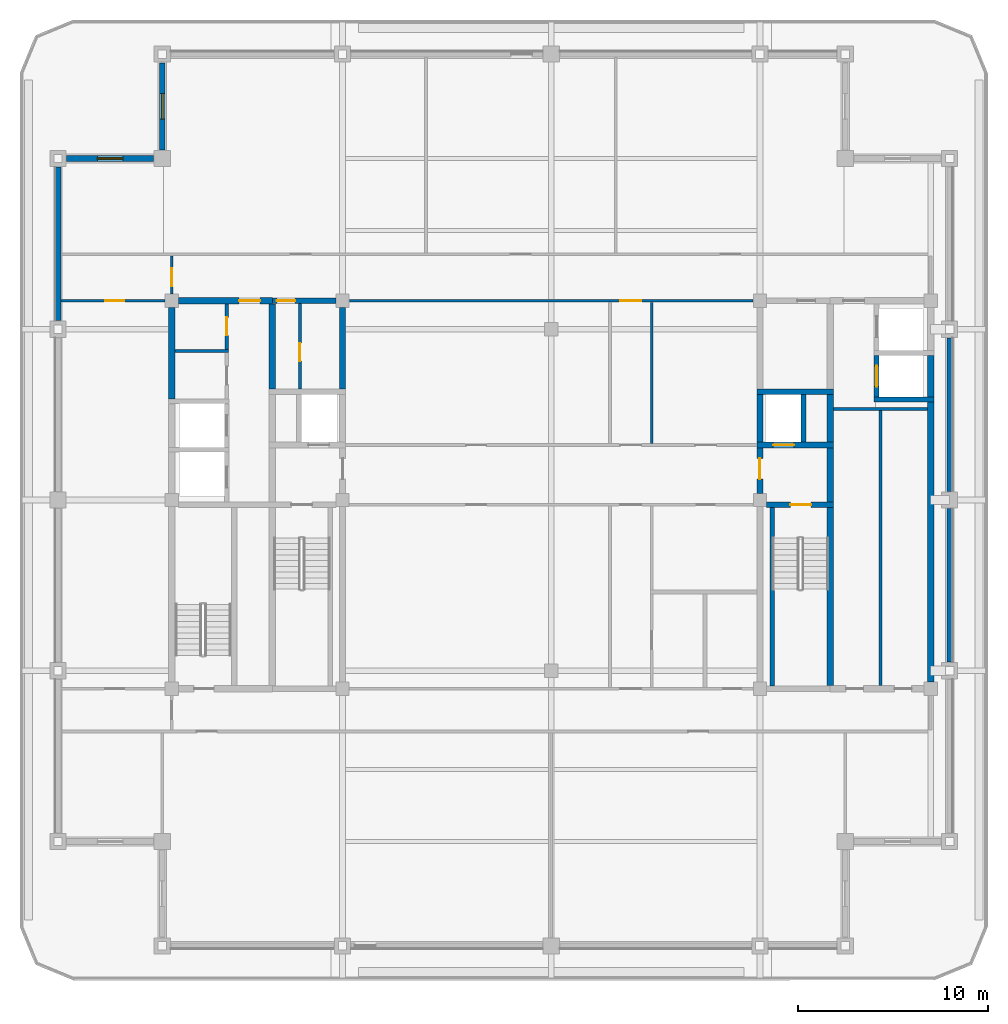
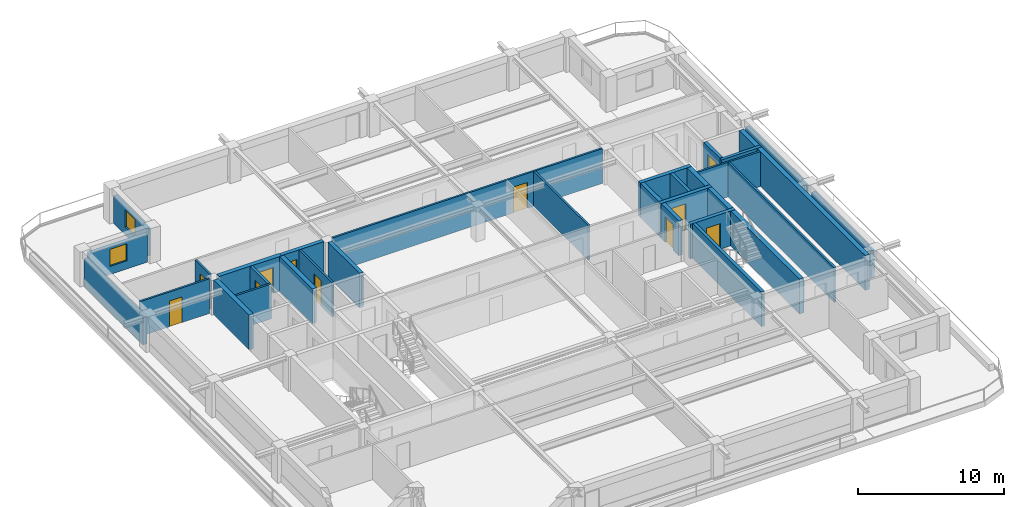
# One storey, part 4 of 10: 33 walls, 11 doors, 2 windows, 13 openings.
"""IFC4 building model written with IfcOpenShell, lengths in metres."""

from ifc_helpers import new_model, si_unit, direction, frame, frame_2d, origin, place, context, subcontext, project, spatial, rectangle, extrude, material, layer, layer_set, type_object, element, fill, save


model = new_model("IFC4")

# Units and contexts
model_context = context("Model", 3, precision=1e-05, world=origin(), true_north=direction((0.0, 1.0)))
body_context = subcontext(model_context, "Body", "Model", "MODEL_VIEW")
ifc_project = project(units=[si_unit("LENGTHUNIT", "METRE"), si_unit("AREAUNIT", "SQUARE_METRE"), si_unit("VOLUMEUNIT", "CUBIC_METRE"), si_unit("PLANEANGLEUNIT", "RADIAN"), si_unit("MASSUNIT", "GRAM", prefix="KILO")], contexts=[model_context])

# Site, building, storey
site_placement = place(None, origin())
site = spatial("IfcSite", under=ifc_project, at=site_placement, CompositionType="ELEMENT")
building_placement = place(site_placement, origin())
building = spatial("IfcBuilding", under=site, at=building_placement, Name="Zulmaris Gate Convention Tower", CompositionType="ELEMENT")
storey_placement = place(building_placement, frame((0.0, 0.0, 267.35009765625)))
storey = spatial("IfcBuildingStorey", under=building, at=storey_placement, Name="L71", CompositionType="ELEMENT", Elevation=267.35009765625)

# Walls
ifc_material_1 = material(Name="Concrete C50/60", Category="concrete")
ifc_layer_1 = layer(ifc_material_1, 0.25, Name="Concrete C50/60")
ifc_layer_set_1 = layer_set([ifc_layer_1], Name="Concrete C50/60")
wall_type_1 = type_object("IfcWallType", Name="CORE-250", PredefinedType="SOLIDWALL", material=ifc_layer_set_1)
wall_1_placement = place(storey_placement, frame((17.02490234375, 5.300048828125, 0.0), z_axis=(0.0, 0.0, 1.0), x_axis=(1.0, 0.0, 0.0)))
element("IfcWall", 1, at=wall_1_placement, inside=storey, type_object=wall_type_1, Name="WL-L71-011", PredefinedType="SOLIDWALL", context=body_context, shape_type="SweptSolid", body=[
    extrude(rectangle(XDim=3.150146484375, YDim=0.25, at=frame_2d((1.5751953125, 0.0))), origin(), (0.0, 0.0, 1.0), 2.905029296875),
])
wall_2_placement = place(storey_placement, frame((11.64990234375, -9.798095703125, 0.0), z_axis=(0.0, 0.0, 1.0), x_axis=(0.0, 1.0, 0.0)))
element("IfcWall", 2, at=wall_2_placement, inside=storey, type_object=wall_type_1, Name="WL-L71-051", PredefinedType="SOLIDWALL", context=body_context, shape_type="SweptSolid", body=[
    extrude(rectangle(XDim=9.39599609375, YDim=0.25, at=frame_2d((4.697998046875, 0.0))), origin(), (0.0, 0.0, 1.0), 2.905029296875),
])
wall_3_placement = place(storey_placement, frame((13.300048828125, 3.052001953125, 0.0), z_axis=(0.0, 0.0, 1.0), x_axis=(0.0, 1.0, 0.0)))
element("IfcWall", 3, at=wall_3_placement, inside=storey, type_object=wall_type_1, Name="WL-L71-052", PredefinedType="SOLIDWALL", context=body_context, shape_type="SweptSolid", body=[
    extrude(rectangle(XDim=2.49609375, YDim=0.25, at=frame_2d((1.248046875, 0.0))), origin(), (0.0, 0.0, 1.0), 2.905029296875),
])

# Wall, opening, door
wall_4_placement = place(storey_placement, frame((17.14990234375, 5.427001953125, 0.0), z_axis=(0.0, 0.0, 1.0), x_axis=(0.0, 1.0, 0.0)))
wall_4 = element("IfcWall", 4, at=wall_4_placement, inside=storey, type_object=wall_type_1, Name="WL-L71-057", PredefinedType="SOLIDWALL", context=body_context, shape_type="SweptSolid", body=[
    extrude(rectangle(XDim=2.196044921875, YDim=0.25, at=frame_2d((1.09814453125, 0.0))), origin(), (0.0, 0.0, 1.0), 2.905029296875),
])
opening_1_placement = place(wall_4_placement, frame((0.548095703125, 0.0, 0.0)))
opening_1 = element("IfcOpeningElement", 5, at=opening_1_placement, cuts=wall_4, Name="Opening D-06", PredefinedType="OPENING", context=body_context, shape_type="SweptSolid", body=[
    extrude(rectangle(XDim=1.10009765625, YDim=2.199951171875, at=frame_2d((0.550048828125, 1.10009765625))), frame((0.0, 0.135009765625, 0.0), z_axis=(0.0, -1.0, 0.0), x_axis=(1.0, 0.0, 0.0)), (0.0, 0.0, 1.0), 0.27001953125),
])
ifc_material_2 = material(Name="Brushed Stainless Steel", Category="steel")
door_type_1 = type_object("IfcDoorType", Name="LD-1100", OperationType="NOTDEFINED", PredefinedType="DOOR", material=ifc_material_2)
door_1_placement = place(opening_1_placement, origin())
door_1 = element("IfcDoor", 6, at=door_1_placement, inside=storey, type_object=door_type_1, Name="L71 Lift Landing Door HP-01 16", OperationType="SLIDING_TO_RIGHT", OverallHeight=2.199951171875, OverallWidth=1.10009765625, PredefinedType="DOOR", context=body_context, shape_type="SweptSolid", body=[
    extrude(rectangle(XDim=1.10009765625, YDim=2.199951171875, at=frame_2d((0.550048828125, 1.10009765625))), frame((0.0, 0.02490234375, 0.0), z_axis=(0.0, -1.0, 0.0), x_axis=(1.0, 0.0, 0.0)), (0.0, 0.0, 1.0), 0.050048828125),
])
fill(opening_1, door_1)

ifc_layer_2 = layer(ifc_material_1, 0.300048828125, Name="Concrete C50/60")
ifc_layer_set_2 = layer_set([ifc_layer_2], Name="Concrete C50/60")
wall_type_2 = type_object("IfcWallType", Name="CORE-300", PredefinedType="SHEAR", material=ifc_layer_set_2)
wall_5_placement = place(storey_placement, frame((11.35400390625, -0.25, 0.0), z_axis=(0.0, 0.0, 1.0), x_axis=(1.0, 0.0, 0.0)))
wall_5 = element("IfcWall", 7, at=wall_5_placement, inside=storey, type_object=wall_type_2, Name="WL-L71-006", PredefinedType="SHEAR", context=body_context, shape_type="SweptSolid", body=[
    extrude(rectangle(XDim=3.52099609375, YDim=0.300048828125, at=frame_2d((1.760498046875, 0.0))), origin(), (0.0, 0.0, 1.0), 2.905029296875),
])
opening_2_placement = place(wall_5_placement, frame((1.24609375, 0.0, 0.0)))
opening_2 = element("IfcOpeningElement", 8, at=opening_2_placement, cuts=wall_5, Name="Opening D-08", PredefinedType="OPENING", context=body_context, shape_type="SweptSolid", body=[
    extrude(rectangle(XDim=1.10009765625, YDim=2.14990234375, at=frame_2d((0.550048828125, 1.074951171875))), frame((0.0, 0.16015625, 0.0), z_axis=(0.0, -1.0, 0.0), x_axis=(1.0, 0.0, 0.0)), (0.0, 0.0, 1.0), 0.320068359375),
])
ifc_material_3 = material(Name="Fire-Rated Steel", Category="steel")
door_type_2 = type_object("IfcDoorType", Name="DR-1100-FD", OperationType="NOTDEFINED", PredefinedType="DOOR", material=ifc_material_3)
door_2_placement = place(opening_2_placement, origin())
door_2 = element("IfcDoor", 9, at=door_2_placement, inside=storey, type_object=door_type_2, Name="L71 Exit Stair ST-2 Door 04", OperationType="SINGLE_SWING_RIGHT", OverallHeight=2.14990234375, OverallWidth=1.10009765625, PredefinedType="DOOR", context=body_context, shape_type="SweptSolid", body=[
    extrude(rectangle(XDim=1.10009765625, YDim=2.14990234375, at=frame_2d((0.550048828125, 1.074951171875))), frame((0.0, 0.02490234375, 0.0), z_axis=(0.0, -1.0, 0.0), x_axis=(1.0, 0.0, 0.0)), (0.0, 0.0, 1.0), 0.050048828125),
])
fill(opening_2, door_2)

wall_6_placement = place(storey_placement, frame((10.85009765625, 2.89990234375, 0.0), z_axis=(0.0, 0.0, 1.0), x_axis=(1.0, 0.0, 0.0)))
wall_6 = element("IfcWall", 10, at=wall_6_placement, inside=storey, type_object=wall_type_2, Name="WL-L71-009", PredefinedType="SHEAR", context=body_context, shape_type="SweptSolid", body=[
    extrude(rectangle(XDim=4.02490234375, YDim=0.300048828125, at=frame_2d((2.012451171875, 0.0))), origin(), (0.0, 0.0, 1.0), 2.905029296875),
])
opening_3_placement = place(wall_6_placement, frame((0.85009765625, 0.0, 0.0)))
opening_3 = element("IfcOpeningElement", 11, at=opening_3_placement, cuts=wall_6, Name="Opening D-06", PredefinedType="OPENING", context=body_context, shape_type="SweptSolid", body=[
    extrude(rectangle(XDim=1.10009765625, YDim=2.199951171875, at=frame_2d((0.550048828125, 1.10009765625))), frame((0.0, 0.16015625, 0.0), z_axis=(0.0, -1.0, 0.0), x_axis=(1.0, 0.0, 0.0)), (0.0, 0.0, 1.0), 0.320068359375),
])
door_3_placement = place(opening_3_placement, origin())
door_3 = element("IfcDoor", 12, at=door_3_placement, inside=storey, type_object=door_type_1, Name="L71 Lift Landing Door LF-02 06", OperationType="SLIDING_TO_RIGHT", OverallHeight=2.199951171875, OverallWidth=1.10009765625, PredefinedType="DOOR", context=body_context, shape_type="SweptSolid", body=[
    extrude(rectangle(XDim=1.10009765625, YDim=2.199951171875, at=frame_2d((0.550048828125, 1.10009765625))), frame((0.0, 0.02490234375, 0.0), z_axis=(0.0, -1.0, 0.0), x_axis=(1.0, 0.0, 0.0)), (0.0, 0.0, 1.0), 0.050048828125),
])
fill(opening_3, door_3)

# Wall
wall_7_placement = place(storey_placement, frame((10.85009765625, 5.699951171875, 0.0), z_axis=(0.0, 0.0, 1.0), x_axis=(1.0, 0.0, 0.0)))
element("IfcWall", 13, at=wall_7_placement, inside=storey, type_object=wall_type_2, Name="WL-L71-013", PredefinedType="SHEAR", context=body_context, shape_type="SweptSolid", body=[
    extrude(rectangle(XDim=4.02490234375, YDim=0.300048828125, at=frame_2d((2.012451171875, 0.0))), origin(), (0.0, 0.0, 1.0), 2.905029296875),
])

# Wall, opening, door
wall_8_placement = place(storey_placement, frame((-14.699951171875, 10.5, 0.0), z_axis=(0.0, 0.0, 1.0), x_axis=(1.0, 0.0, 0.0)))
wall_8 = element("IfcWall", 14, at=wall_8_placement, inside=storey, type_object=wall_type_2, Name="WL-L71-016", PredefinedType="SHEAR", context=body_context, shape_type="SweptSolid", body=[
    extrude(rectangle(XDim=3.345947265625, YDim=0.300048828125, at=frame_2d((1.6728515625, 0.0))), origin(), (0.0, 0.0, 1.0), 2.905029296875),
])
opening_4_placement = place(wall_8_placement, frame((0.2451171875, 0.0, 0.0)))
opening_4 = element("IfcOpeningElement", 15, at=opening_4_placement, cuts=wall_8, Name="Opening D-11", PredefinedType="OPENING", context=body_context, shape_type="SweptSolid", body=[
    extrude(rectangle(XDim=0.949951171875, YDim=2.14990234375, at=frame_2d((0.47509765625, 1.074951171875))), frame((0.0, 0.16015625, 0.0), z_axis=(0.0, -1.0, 0.0), x_axis=(1.0, 0.0, 0.0)), (0.0, 0.0, 1.0), 0.320068359375),
])
ifc_material_4 = material(Name="Fire-Rated Timber", Category="wood")
door_type_3 = type_object("IfcDoorType", Name="DR-950-FD", OperationType="NOTDEFINED", PredefinedType="DOOR", material=ifc_material_4)
door_4_placement = place(opening_4_placement, origin())
door_4 = element("IfcDoor", 16, at=door_4_placement, inside=storey, type_object=door_type_3, Name="L71 Core Mail Room Door 07", OperationType="SINGLE_SWING_RIGHT", OverallHeight=2.14990234375, OverallWidth=0.949951171875, PredefinedType="DOOR", context=body_context, shape_type="SweptSolid", body=[
    extrude(rectangle(XDim=0.949951171875, YDim=2.14990234375, at=frame_2d((0.47509765625, 1.074951171875))), frame((0.0, 0.02490234375, 0.0), z_axis=(0.0, -1.0, 0.0), x_axis=(1.0, 0.0, 0.0)), (0.0, 0.0, 1.0), 0.050048828125),
])
fill(opening_4, door_4)

# Wall
wall_9_placement = place(storey_placement, frame((-11.0, 5.85205078125, 0.0), z_axis=(0.0, 0.0, 1.0), x_axis=(0.0, 1.0, 0.0)))
element("IfcWall", 17, at=wall_9_placement, inside=storey, type_object=wall_type_2, Name="WL-L71-046", PredefinedType="SHEAR", context=body_context, shape_type="SweptSolid", body=[
    extrude(rectangle(XDim=4.2939453125, YDim=0.300048828125, at=frame_2d((2.14697265625, 0.0))), origin(), (0.0, 0.0, 1.0), 2.905029296875),
])

# Wall, opening, door
wall_10_placement = place(storey_placement, frame((11.0, 0.35400390625, 0.0), z_axis=(0.0, 0.0, 1.0), x_axis=(0.0, 1.0, 0.0)))
wall_10 = element("IfcWall", 18, at=wall_10_placement, inside=storey, type_object=wall_type_2, Name="WL-L71-048", PredefinedType="SHEAR", context=body_context, shape_type="SweptSolid", body=[
    extrude(rectangle(XDim=2.39404296875, YDim=0.300048828125, at=frame_2d((1.197021484375, 0.0))), origin(), (0.0, 0.0, 1.0), 2.905029296875),
])
opening_5_placement = place(wall_10_placement, frame((0.74609375, 0.0, 0.0)))
opening_5 = element("IfcOpeningElement", 19, at=opening_5_placement, cuts=wall_10, Name="Opening D-08", PredefinedType="OPENING", context=body_context, shape_type="SweptSolid", body=[
    extrude(rectangle(XDim=1.10009765625, YDim=2.14990234375, at=frame_2d((0.550048828125, 1.074951171875))), frame((0.0, 0.16015625, 0.0), z_axis=(0.0, -1.0, 0.0), x_axis=(1.0, 0.0, 0.0)), (0.0, 0.0, 1.0), 0.320068359375),
])
door_5_placement = place(opening_5_placement, origin())
door_5 = element("IfcDoor", 20, at=door_5_placement, inside=storey, type_object=door_type_2, Name="L71 East Firefighting Lobby Door 05", OperationType="SINGLE_SWING_LEFT", OverallHeight=2.14990234375, OverallWidth=1.10009765625, PredefinedType="DOOR", context=body_context, shape_type="SweptSolid", body=[
    extrude(rectangle(XDim=1.10009765625, YDim=2.14990234375, at=frame_2d((0.550048828125, 1.074951171875))), frame((0.0, 0.02490234375, 0.0), z_axis=(0.0, -1.0, 0.0), x_axis=(1.0, 0.0, 0.0)), (0.0, 0.0, 1.0), 0.050048828125),
])
fill(opening_5, door_5)

# Wall
wall_11_placement = place(storey_placement, frame((11.0, 3.052001953125, 0.0), z_axis=(0.0, 0.0, 1.0), x_axis=(0.0, 1.0, 0.0)))
element("IfcWall", 21, at=wall_11_placement, inside=storey, type_object=wall_type_2, Name="WL-L71-049", PredefinedType="SHEAR", context=body_context, shape_type="SweptSolid", body=[
    extrude(rectangle(XDim=2.49609375, YDim=0.300048828125, at=frame_2d((1.248046875, 0.0))), origin(), (0.0, 0.0, 1.0), 2.905029296875),
])

# Wall, opening, door
ifc_material_5 = material(Name="Concrete C55/67", Category="concrete")
ifc_layer_3 = layer(ifc_material_5, 0.35009765625, Name="Concrete C55/67")
ifc_layer_set_3 = layer_set([ifc_layer_3], Name="Concrete C55/67")
wall_type_3 = type_object("IfcWallType", Name="CORE-350", PredefinedType="SHEAR", material=ifc_layer_set_3)
wall_12_placement = place(storey_placement, frame((-19.64599609375, 10.5, 0.0), z_axis=(0.0, 0.0, 1.0), x_axis=(1.0, 0.0, 0.0)))
wall_12 = element("IfcWall", 22, at=wall_12_placement, inside=storey, type_object=wall_type_3, Name="WL-L71-015", PredefinedType="SHEAR", context=body_context, shape_type="SweptSolid", body=[
    extrude(rectangle(XDim=4.946044921875, YDim=0.35009765625, at=frame_2d((2.47314453125, 0.0))), origin(), (0.0, 0.0, 1.0), 2.905029296875),
])
opening_6_placement = place(wall_12_placement, frame((3.196044921875, 0.0, 0.0)))
opening_6 = element("IfcOpeningElement", 23, at=opening_6_placement, cuts=wall_12, Name="Opening D-08", PredefinedType="OPENING", context=body_context, shape_type="SweptSolid", body=[
    extrude(rectangle(XDim=1.10009765625, YDim=2.14990234375, at=frame_2d((0.550048828125, 1.074951171875))), frame((0.0, 0.18505859375, 0.0), z_axis=(0.0, -1.0, 0.0), x_axis=(1.0, 0.0, 0.0)), (0.0, 0.0, 1.0), 0.3701171875),
])
door_6_placement = place(opening_6_placement, origin())
door_6 = element("IfcDoor", 24, at=door_6_placement, inside=storey, type_object=door_type_2, Name="L71 High-Rise West Lift Lobby Door 13", OperationType="SINGLE_SWING_RIGHT", OverallHeight=2.14990234375, OverallWidth=1.10009765625, PredefinedType="DOOR", context=body_context, shape_type="SweptSolid", body=[
    extrude(rectangle(XDim=1.10009765625, YDim=2.14990234375, at=frame_2d((0.550048828125, 1.074951171875))), frame((0.0, 0.02490234375, 0.0), z_axis=(0.0, -1.0, 0.0), x_axis=(1.0, 0.0, 0.0)), (0.0, 0.0, 1.0), 0.050048828125),
])
fill(opening_6, door_6)

# Walls
wall_13_placement = place(storey_placement, frame((-20.0, 5.326904296875, 0.0), z_axis=(0.0, 0.0, 1.0), x_axis=(0.0, 1.0, 0.0)))
element("IfcWall", 25, at=wall_13_placement, inside=storey, type_object=wall_type_3, Name="WL-L71-033", PredefinedType="SHEAR", context=body_context, shape_type="SweptSolid", body=[
    extrude(rectangle(XDim=4.819091796875, YDim=0.35009765625, at=frame_2d((2.40966796875, 0.0))), origin(), (0.0, 0.0, 1.0), 2.905029296875),
])
wall_14_placement = place(storey_placement, frame((-14.699951171875, 5.85205078125, 0.0), z_axis=(0.0, 0.0, 1.0), x_axis=(0.0, 1.0, 0.0)))
element("IfcWall", 26, at=wall_14_placement, inside=storey, type_object=wall_type_3, Name="WL-L71-040", PredefinedType="SHEAR", context=body_context, shape_type="SweptSolid", body=[
    extrude(rectangle(XDim=4.470947265625, YDim=0.35009765625, at=frame_2d((2.2353515625, 0.0))), origin(), (0.0, 0.0, 1.0), 2.905029296875),
])
wall_15_placement = place(storey_placement, frame((14.699951171875, -9.77294921875, 0.0), z_axis=(0.0, 0.0, 1.0), x_axis=(0.0, 1.0, 0.0)))
element("IfcWall", 27, at=wall_15_placement, inside=storey, type_object=wall_type_3, Name="WL-L71-053", PredefinedType="SHEAR", context=body_context, shape_type="SweptSolid", body=[
    extrude(rectangle(XDim=9.370849609375, YDim=0.35009765625, at=frame_2d((4.685546875, 0.0))), origin(), (0.0, 0.0, 1.0), 2.905029296875),
])
wall_16_placement = place(storey_placement, frame((14.699951171875, -0.097900390625, 0.0), z_axis=(0.0, 0.0, 1.0), x_axis=(0.0, 1.0, 0.0)))
element("IfcWall", 28, at=wall_16_placement, inside=storey, type_object=wall_type_3, Name="WL-L71-054", PredefinedType="SHEAR", context=body_context, shape_type="SweptSolid", body=[
    extrude(rectangle(XDim=2.845947265625, YDim=0.35009765625, at=frame_2d((1.4228515625, 0.0))), origin(), (0.0, 0.0, 1.0), 2.905029296875),
])
wall_17_placement = place(storey_placement, frame((14.699951171875, 3.052001953125, 0.0), z_axis=(0.0, 0.0, 1.0), x_axis=(0.0, 1.0, 0.0)))
element("IfcWall", 29, at=wall_17_placement, inside=storey, type_object=wall_type_3, Name="WL-L71-055", PredefinedType="SHEAR", context=body_context, shape_type="SweptSolid", body=[
    extrude(rectangle(XDim=2.49609375, YDim=0.35009765625, at=frame_2d((1.248046875, 0.0))), origin(), (0.0, 0.0, 1.0), 2.905029296875),
])
wall_18_placement = place(storey_placement, frame((20.0, -9.595947265625, 0.0), z_axis=(0.0, 0.0, 1.0), x_axis=(0.0, 1.0, 0.0)))
element("IfcWall", 30, at=wall_18_placement, inside=storey, type_object=wall_type_3, Name="WL-L71-059", PredefinedType="SHEAR", context=body_context, shape_type="SweptSolid", body=[
    extrude(rectangle(XDim=14.76904296875, YDim=0.35009765625, at=frame_2d((7.384521484375, 0.0))), origin(), (0.0, 0.0, 1.0), 2.905029296875),
])
wall_19_placement = place(storey_placement, frame((20.0, 5.427001953125, 0.0), z_axis=(0.0, 0.0, 1.0), x_axis=(0.0, 1.0, 0.0)))
element("IfcWall", 31, at=wall_19_placement, inside=storey, type_object=wall_type_3, Name="WL-L71-060", PredefinedType="SHEAR", context=body_context, shape_type="SweptSolid", body=[
    extrude(rectangle(XDim=2.196044921875, YDim=0.35009765625, at=frame_2d((1.09814453125, 0.0))), origin(), (0.0, 0.0, 1.0), 2.905029296875),
])
ifc_material_6 = material(Name="Gypsum Metal Stud Partition")
ifc_layer_4 = layer(ifc_material_6, 0.14990234375, Name="Gypsum Metal Stud Partition")
ifc_layer_set_4 = layer_set([ifc_layer_4], Name="Gypsum Metal Stud Partition")
wall_type_4 = type_object("IfcWallType", Name="PART-150", PredefinedType="PARTITIONING", material=ifc_layer_set_4)
wall_20_placement = place(storey_placement, frame((14.8779296875, 4.800048828125, 0.0), z_axis=(0.0, 0.0, 1.0), x_axis=(1.0, 0.0, 0.0)))
element("IfcWall", 32, at=wall_20_placement, inside=storey, type_object=wall_type_4, Name="WL-L71-025", PredefinedType="PARTITIONING", context=body_context, shape_type="SweptSolid", body=[
    extrude(rectangle(XDim=4.944091796875, YDim=0.14990234375, at=frame_2d((2.47216796875, 0.0))), origin(), (0.0, 0.0, 1.0), 2.905029296875),
])
wall_21_placement = place(storey_placement, frame((-19.822021484375, 7.85009765625, 0.0), z_axis=(0.0, 0.0, 1.0), x_axis=(1.0, 0.0, 0.0)))
element("IfcWall", 33, at=wall_21_placement, inside=storey, type_object=wall_type_4, Name="WL-L71-026", PredefinedType="PARTITIONING", context=body_context, shape_type="SweptSolid", body=[
    extrude(rectangle(XDim=2.822021484375, YDim=0.14990234375, at=frame_2d((1.4111328125, 0.0))), origin(), (0.0, 0.0, 1.0), 2.905029296875),
])

# Wall, opening, door
wall_22_placement = place(storey_placement, frame((-25.8349609375, 10.5, 0.0), z_axis=(0.0, 0.0, 1.0), x_axis=(1.0, 0.0, 0.0)))
wall_22 = element("IfcWall", 34, at=wall_22_placement, inside=storey, type_object=wall_type_4, Name="WL-L71-027", PredefinedType="PARTITIONING", context=body_context, shape_type="SweptSolid", body=[
    extrude(rectangle(XDim=5.47900390625, YDim=0.14990234375, at=frame_2d((2.739501953125, 0.0))), origin(), (0.0, 0.0, 1.0), 2.905029296875),
])
opening_7_placement = place(wall_22_placement, frame((2.3349609375, 0.0, 0.0)))
opening_7 = element("IfcOpeningElement", 35, at=opening_7_placement, cuts=wall_22, Name="Opening D-10", PredefinedType="OPENING", context=body_context, shape_type="SweptSolid", body=[
    extrude(rectangle(XDim=1.0, YDim=2.14990234375, at=frame_2d((0.5, 1.074951171875))), frame((0.0, 0.0849609375, 0.0), z_axis=(0.0, -1.0, 0.0), x_axis=(1.0, 0.0, 0.0)), (0.0, 0.0, 1.0), 0.169921875),
])
door_type_4 = type_object("IfcDoorType", Name="DR-1000-FD", OperationType="NOTDEFINED", PredefinedType="DOOR", material=ifc_material_4)
door_7_placement = place(opening_7_placement, origin())
door_7 = element("IfcDoor", 36, at=door_7_placement, inside=storey, type_object=door_type_4, Name="L71 West Workplace North Door 38", OperationType="SINGLE_SWING_LEFT", OverallHeight=2.14990234375, OverallWidth=1.0, PredefinedType="DOOR", context=body_context, shape_type="SweptSolid", body=[
    extrude(rectangle(XDim=1.0, YDim=2.14990234375, at=frame_2d((0.5, 1.074951171875))), frame((0.0, 0.02490234375, 0.0), z_axis=(0.0, -1.0, 0.0), x_axis=(1.0, 0.0, 0.0)), (0.0, 0.0, 1.0), 0.050048828125),
])
fill(opening_7, door_7)

wall_23_placement = place(storey_placement, frame((-10.64404296875, 10.5, 0.0), z_axis=(0.0, 0.0, 1.0), x_axis=(1.0, 0.0, 0.0)))
wall_23 = element("IfcWall", 37, at=wall_23_placement, inside=storey, type_object=wall_type_4, Name="WL-L71-028", PredefinedType="PARTITIONING", context=body_context, shape_type="SweptSolid", body=[
    extrude(rectangle(XDim=21.2880859375, YDim=0.14990234375, at=frame_2d((10.64404296875, 0.0))), origin(), (0.0, 0.0, 1.0), 2.905029296875),
])
opening_8_placement = place(wall_23_placement, frame((14.2939453125, 0.0, 0.0)))
opening_8 = element("IfcOpeningElement", 38, at=opening_8_placement, cuts=wall_23, Name="Opening D-08", PredefinedType="OPENING", context=body_context, shape_type="SweptSolid", body=[
    extrude(rectangle(XDim=1.10009765625, YDim=2.14990234375, at=frame_2d((0.550048828125, 1.074951171875))), frame((0.0, 0.0849609375, 0.0), z_axis=(0.0, -1.0, 0.0), x_axis=(1.0, 0.0, 0.0)), (0.0, 0.0, 1.0), 0.169921875),
])
door_8_placement = place(opening_8_placement, origin())
door_8 = element("IfcDoor", 39, at=door_8_placement, inside=storey, type_object=door_type_2, Name="L71 Exec North Link Door 21", OperationType="SINGLE_SWING_RIGHT", OverallHeight=2.14990234375, OverallWidth=1.10009765625, PredefinedType="DOOR", context=body_context, shape_type="SweptSolid", body=[
    extrude(rectangle(XDim=1.10009765625, YDim=2.14990234375, at=frame_2d((0.550048828125, 1.074951171875))), frame((0.0, 0.02490234375, 0.0), z_axis=(0.0, -1.0, 0.0), x_axis=(1.0, 0.0, 0.0)), (0.0, 0.0, 1.0), 0.050048828125),
])
fill(opening_8, door_8)

wall_24_placement = place(storey_placement, frame((-20.0, 10.85595703125, 0.0), z_axis=(0.0, 0.0, 1.0), x_axis=(0.0, 1.0, 0.0)))
wall_24 = element("IfcWall", 40, at=wall_24_placement, inside=storey, type_object=wall_type_4, Name="WL-L71-064", PredefinedType="PARTITIONING", context=body_context, shape_type="SweptSolid", body=[
    extrude(rectangle(XDim=2.01611328125, YDim=0.14990234375, at=frame_2d((1.008056640625, 0.0))), origin(), (0.0, 0.0, 1.0), 2.905029296875),
])
opening_9_placement = place(wall_24_placement, frame((0.39892578125, 0.0, 0.0)))
opening_9 = element("IfcOpeningElement", 41, at=opening_9_placement, cuts=wall_24, Name="Opening D-11", PredefinedType="OPENING", context=body_context, shape_type="SweptSolid", body=[
    extrude(rectangle(XDim=0.949951171875, YDim=2.14990234375, at=frame_2d((0.47509765625, 1.074951171875))), frame((0.0, 0.0849609375, 0.0), z_axis=(0.0, -1.0, 0.0), x_axis=(1.0, 0.0, 0.0)), (0.0, 0.0, 1.0), 0.169921875),
])
door_9_placement = place(opening_9_placement, origin())
door_9 = element("IfcDoor", 42, at=door_9_placement, inside=storey, type_object=door_type_3, Name="L71 NW Spur Door 36", OperationType="SINGLE_SWING_LEFT", OverallHeight=2.14990234375, OverallWidth=0.949951171875, PredefinedType="DOOR", context=body_context, shape_type="SweptSolid", body=[
    extrude(rectangle(XDim=0.949951171875, YDim=2.14990234375, at=frame_2d((0.47509765625, 1.074951171875))), frame((0.0, 0.02490234375, 0.0), z_axis=(0.0, -1.0, 0.0), x_axis=(1.0, 0.0, 0.0)), (0.0, 0.0, 1.0), 0.050048828125),
])
fill(opening_9, door_9)

wall_25_placement = place(storey_placement, frame((-13.25, 5.85302734375, 0.0), z_axis=(0.0, 0.0, 1.0), x_axis=(0.0, 1.0, 0.0)))
wall_25 = element("IfcWall", 43, at=wall_25_placement, inside=storey, type_object=wall_type_4, Name="WL-L71-067", PredefinedType="PARTITIONING", context=body_context, shape_type="SweptSolid", body=[
    extrude(rectangle(XDim=4.493896484375, YDim=0.14990234375, at=frame_2d((2.2470703125, 0.0))), origin(), (0.0, 0.0, 1.0), 2.905029296875),
])
opening_10_placement = place(wall_25_placement, frame((1.471923828125, 0.0, 0.0)))
opening_10 = element("IfcOpeningElement", 44, at=opening_10_placement, cuts=wall_25, Name="Opening D-11", PredefinedType="OPENING", context=body_context, shape_type="SweptSolid", body=[
    extrude(rectangle(XDim=0.949951171875, YDim=2.14990234375, at=frame_2d((0.47509765625, 1.074951171875))), frame((0.0, 0.0849609375, 0.0), z_axis=(0.0, -1.0, 0.0), x_axis=(1.0, 0.0, 0.0)), (0.0, 0.0, 1.0), 0.169921875),
])
door_10_placement = place(opening_10_placement, origin())
door_10 = element("IfcDoor", 45, at=door_10_placement, inside=storey, type_object=door_type_3, Name="L71 Core Janitor Door 08", OperationType="SINGLE_SWING_LEFT", OverallHeight=2.14990234375, OverallWidth=0.949951171875, PredefinedType="DOOR", context=body_context, shape_type="SweptSolid", body=[
    extrude(rectangle(XDim=0.949951171875, YDim=2.14990234375, at=frame_2d((0.47509765625, 1.074951171875))), frame((0.0, 0.02490234375, 0.0), z_axis=(0.0, -1.0, 0.0), x_axis=(1.0, 0.0, 0.0)), (0.0, 0.0, 1.0), 0.050048828125),
])
fill(opening_10, door_10)

# Walls
wall_26_placement = place(storey_placement, frame((5.300048828125, 2.97802734375, 0.0), z_axis=(0.0, 0.0, 1.0), x_axis=(0.0, 1.0, 0.0)))
element("IfcWall", 46, at=wall_26_placement, inside=storey, type_object=wall_type_4, Name="WL-L71-075", PredefinedType="PARTITIONING", context=body_context, shape_type="SweptSolid", body=[
    extrude(rectangle(XDim=7.444091796875, YDim=0.14990234375, at=frame_2d((3.72216796875, 0.0))), origin(), (0.0, 0.0, 1.0), 2.905029296875),
])
wall_27_placement = place(storey_placement, frame((17.35009765625, -9.77197265625, 0.0), z_axis=(0.0, 0.0, 1.0), x_axis=(0.0, 1.0, 0.0)))
element("IfcWall", 47, at=wall_27_placement, inside=storey, type_object=wall_type_4, Name="WL-L71-078", PredefinedType="PARTITIONING", context=body_context, shape_type="SweptSolid", body=[
    extrude(rectangle(XDim=14.493896484375, YDim=0.14990234375, at=frame_2d((7.2470703125, 0.0))), origin(), (0.0, 0.0, 1.0), 2.905029296875),
])

# Wall, opening, door
ifc_material_7 = material(Name="Autoclaved Aerated Concrete Block and Plasterboard", Category="concrete")
ifc_layer_5 = layer(ifc_material_7, 0.199951171875, Name="Autoclaved Aerated Concrete Block and Plasterboard")
ifc_layer_set_5 = layer_set([ifc_layer_5], Name="Autoclaved Aerated Concrete Block and Plasterboard")
wall_type_5 = type_object("IfcWallType", Name="PART-200", PredefinedType="PARTITIONING", material=ifc_layer_set_5)
wall_28_placement = place(storey_placement, frame((-17.10009765625, 7.927978515625, 0.0), z_axis=(0.0, 0.0, 1.0), x_axis=(0.0, 1.0, 0.0)))
wall_28 = element("IfcWall", 48, at=wall_28_placement, inside=storey, type_object=wall_type_5, Name="WL-L71-066", PredefinedType="PARTITIONING", context=body_context, shape_type="SweptSolid", body=[
    extrude(rectangle(XDim=2.39404296875, YDim=0.199951171875, at=frame_2d((1.197021484375, 0.0))), origin(), (0.0, 0.0, 1.0), 2.905029296875),
])
opening_11_placement = place(wall_28_placement, frame((0.7470703125, 0.0, 0.0)))
opening_11 = element("IfcOpeningElement", 49, at=opening_11_placement, cuts=wall_28, Name="Opening D-11", PredefinedType="OPENING", context=body_context, shape_type="SweptSolid", body=[
    extrude(rectangle(XDim=0.949951171875, YDim=2.14990234375, at=frame_2d((0.47509765625, 1.074951171875))), frame((0.0, 0.10986328125, 0.0), z_axis=(0.0, -1.0, 0.0), x_axis=(1.0, 0.0, 0.0)), (0.0, 0.0, 1.0), 0.219970703125),
])
door_11_placement = place(opening_11_placement, origin())
door_11 = element("IfcDoor", 50, at=door_11_placement, inside=storey, type_object=door_type_3, Name="L71 Housekeeping Door 14", OperationType="SINGLE_SWING_LEFT", OverallHeight=2.14990234375, OverallWidth=0.949951171875, PredefinedType="DOOR", context=body_context, shape_type="SweptSolid", body=[
    extrude(rectangle(XDim=0.949951171875, YDim=2.14990234375, at=frame_2d((0.47509765625, 1.074951171875))), frame((0.0, 0.02490234375, 0.0), z_axis=(0.0, -1.0, 0.0), x_axis=(1.0, 0.0, 0.0)), (0.0, 0.0, 1.0), 0.050048828125),
])
fill(opening_11, door_11)

# Wall, opening, window
ifc_material_8 = material(Name="Precast concrete C40/50", Category="concrete")
ifc_layer_6 = layer(ifc_material_8, 0.300048828125, Name="Precast concrete C40/50")
ifc_layer_set_6 = layer_set([ifc_layer_6], Name="Precast concrete C40/50")
wall_type_6 = type_object("IfcWallType", Name="PRECAST-PIER-300", PredefinedType="STANDARD", material=ifc_layer_set_6)
wall_29_placement = place(storey_placement, frame((-20.5, 23.044921875, 0.0), z_axis=(0.0, 0.0, 1.0), x_axis=(0.0, -1.0, 0.0)))
wall_29 = element("IfcWall", 51, at=wall_29_placement, inside=storey, type_object=wall_type_6, Name="EW-L71-NOTCH-NW1_0", PredefinedType="STANDARD", context=body_context, shape_type="SweptSolid", body=[
    extrude(rectangle(XDim=4.58984375, YDim=0.300048828125, at=frame_2d((2.294921875, 0.0))), origin(), (0.0, 0.0, 1.0), 2.297119140625),
])
opening_12_placement = place(wall_29_placement, frame((1.6201171875, 0.0, 0.679931640625)))
opening_12 = element("IfcOpeningElement", 52, at=opening_12_placement, cuts=wall_29, Name="Opening W-10", PredefinedType="OPENING", context=body_context, shape_type="SweptSolid", body=[
    extrude(rectangle(XDim=1.35009765625, YDim=1.419921875, at=frame_2d((0.675048828125, 0.7099609375))), frame((0.0, 0.16015625, 0.0), z_axis=(0.0, -1.0, 0.0), x_axis=(1.0, 0.0, 0.0)), (0.0, 0.0, 1.0), 0.320068359375),
])
ifc_material_9 = material(Name="Low-E Laminated Double Glazing in Aluminium Frame", Category="aluminium")
window_type = type_object("IfcWindowType", Name="WIN-1350x2000", PartitioningType="SINGLE_PANEL", PredefinedType="WINDOW", material=ifc_material_9)
window_1_placement = place(opening_12_placement, origin())
window_1 = element("IfcWindow", 53, at=window_1_placement, inside=storey, type_object=window_type, Name="WN-EW-L71-NOTCH-NW1_0", OverallHeight=1.419921875, OverallWidth=1.35009765625, PartitioningType="SINGLE_PANEL", PredefinedType="WINDOW", context=body_context, shape_type="SweptSolid", body=[
    extrude(rectangle(XDim=1.35009765625, YDim=1.419921875, at=frame_2d((0.675048828125, 0.7099609375))), frame((0.0, 0.030029296875, 0.0), z_axis=(0.0, -1.0, 0.0), x_axis=(1.0, 0.0, 0.0)), (0.0, 0.0, 1.0), 0.06005859375),
])
fill(opening_12, window_1)

wall_30_placement = place(storey_placement, frame((-20.955078125, 18.0, 0.0), z_axis=(0.0, 0.0, 1.0), x_axis=(-1.0, 0.0, 0.0)))
wall_30 = element("IfcWall", 54, at=wall_30_placement, inside=storey, type_object=wall_type_6, Name="EW-L71-NOTCH-NW2_0", PredefinedType="STANDARD", context=body_context, shape_type="SweptSolid", body=[
    extrude(rectangle(XDim=4.58984375, YDim=0.300048828125, at=frame_2d((2.294921875, 0.0))), origin(), (0.0, 0.0, 1.0), 2.297119140625),
])
opening_13_placement = place(wall_30_placement, frame((1.6201171875, 0.0, 0.679931640625)))
opening_13 = element("IfcOpeningElement", 55, at=opening_13_placement, cuts=wall_30, Name="Opening W-10", PredefinedType="OPENING", context=body_context, shape_type="SweptSolid", body=[
    extrude(rectangle(XDim=1.35009765625, YDim=1.419921875, at=frame_2d((0.675048828125, 0.7099609375))), frame((0.0, 0.16015625, 0.0), z_axis=(0.0, -1.0, 0.0), x_axis=(1.0, 0.0, 0.0)), (0.0, 0.0, 1.0), 0.320068359375),
])
window_2_placement = place(opening_13_placement, origin())
window_2 = element("IfcWindow", 56, at=window_2_placement, inside=storey, type_object=window_type, Name="WN-EW-L71-NOTCH-NW2_0", OverallHeight=1.419921875, OverallWidth=1.35009765625, PartitioningType="SINGLE_PANEL", PredefinedType="WINDOW", context=body_context, shape_type="SweptSolid", body=[
    extrude(rectangle(XDim=1.35009765625, YDim=1.419921875, at=frame_2d((0.675048828125, 0.7099609375))), frame((0.0, 0.030029296875, 0.0), z_axis=(0.0, -1.0, 0.0), x_axis=(1.0, 0.0, 0.0)), (0.0, 0.0, 1.0), 0.06005859375),
])
fill(opening_13, window_2)

# Walls
for number, where, z_axis, x_axis, name in (
    (57, (21.0, -8.544921875, 0.0), (0.0, 0.0, 1.0), (0.0, 1.0, 0.0), "EW-L71-E-1_0"),
    (58, (21.0, 0.455078125, 0.0), (0.0, 0.0, 1.0), (0.0, 1.0, 0.0), "EW-L71-E-2_0"),
    (59, (-26.0, 17.544921875, 0.0), (0.0, 0.0, 1.0), (0.0, -1.0, 0.0), "EW-L71-W-3_0"),
):
    element("IfcWall", number, at=place(storey_placement, frame(where, z_axis=z_axis, x_axis=x_axis)), inside=storey, type_object=wall_type_6, Name=name, PredefinedType="STANDARD", context=body_context, shape_type="SweptSolid", body=[
        extrude(rectangle(XDim=8.08984375, YDim=0.300048828125, at=frame_2d((4.044921875, 0.0))), origin(), (0.0, 0.0, 1.0), 2.297119140625),
    ])

save(model, "model.ifc")
